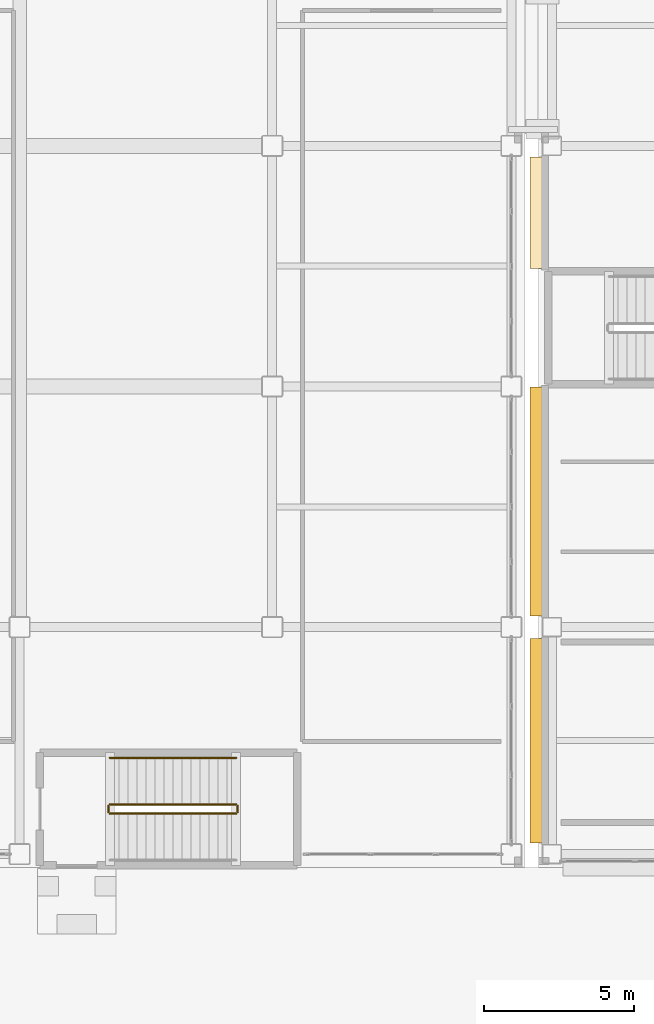
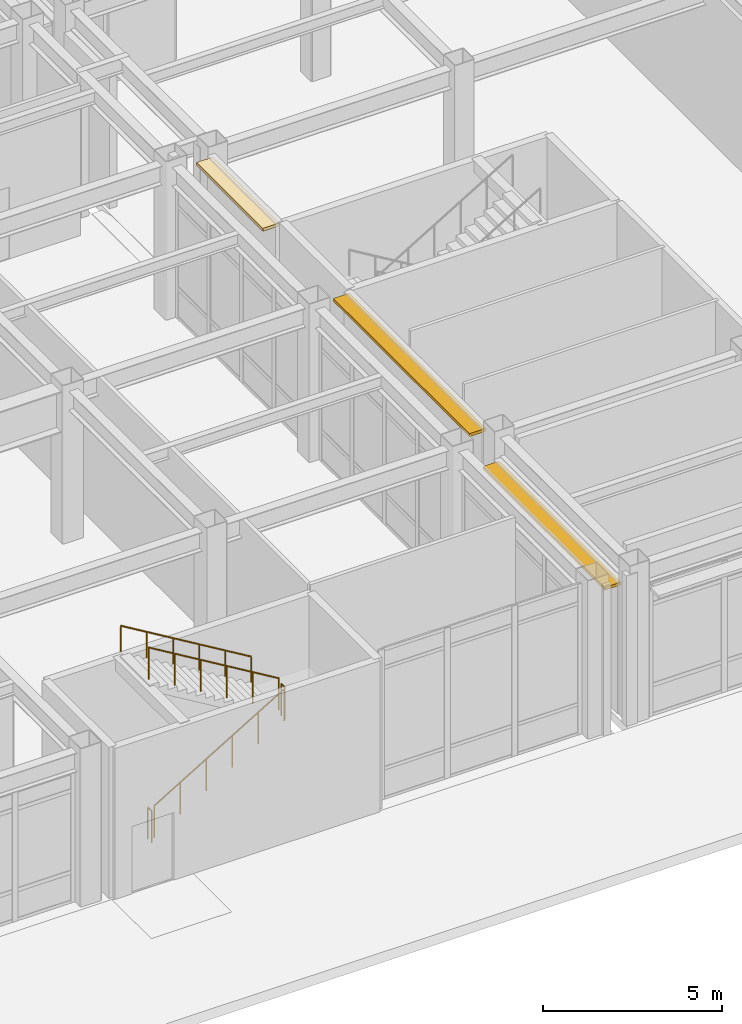
# One storey, part 143 of 165: 5 railings, 2 shading devices, 1 covering.
"""IFC4 building model written with IfcOpenShell, lengths in metres."""

from ifc_helpers import new_model, si_unit, direction, frame, origin, origin_2d, place, context, subcontext, project, spatial, rectangle, circle, extrude, material, layer, layer_set, type_object, element, save


model = new_model("IFC4")

# Units and contexts
model_context = context("Model", 3, precision=1e-05, world=origin(), true_north=direction((0.0, 1.0)))
body_context = subcontext(model_context, "Body", "Model", "MODEL_VIEW")
ifc_project = project(units=[si_unit("LENGTHUNIT", "METRE"), si_unit("AREAUNIT", "SQUARE_METRE"), si_unit("VOLUMEUNIT", "CUBIC_METRE"), si_unit("PLANEANGLEUNIT", "RADIAN"), si_unit("MASSUNIT", "GRAM", prefix="KILO")], contexts=[model_context])

# Site, building, storey
site_placement = place(None, origin())
site = spatial("IfcSite", under=ifc_project, at=site_placement, CompositionType="ELEMENT")
building_placement = place(site_placement, origin())
building = spatial("IfcBuilding", under=site, at=building_placement, Name="Kazehara Bluff Congress Hotel", CompositionType="ELEMENT")
storey_placement = place(building_placement, origin())
storey = spatial("IfcBuildingStorey", under=building, at=storey_placement, Name="L00", CompositionType="ELEMENT", Elevation=0.0)

# Covering
ifc_material_1 = material(Name="Anodised aluminium architectural brise-soleil", Category="aluminium")
ifc_layer_1 = layer(ifc_material_1, 0.10009765625)
ifc_layer_set_1 = layer_set([ifc_layer_1], Name="Anodised aluminium architectural brise-soleil")
covering_type = type_object("IfcCoveringType", Name="TP-FAC-FIN", PredefinedType="CLADDING", material=ifc_layer_set_1)
covering_placement = place(storey_placement, frame((59.22998046875, 21.77001953125, 4.96484375), z_axis=(0.0, 0.0, 1.0), x_axis=(1.0, 0.0, 0.0)))
element("IfcCovering", 1, at=covering_placement, inside=storey, type_object=covering_type, Name="L00 V4 architectural sun-hood 17", PredefinedType="CLADDING", context=body_context, shape_type="SweptSolid", body=[
    extrude(rectangle(XDim=0.52001953125, YDim=3.7099609375, at=origin_2d()), origin(), (0.0, 0.0, 1.0), 0.10009765625),
])

# Railings
ifc_material_2 = material(Name="Brushed stainless steel", Category="steel")
railing_type_1 = type_object("IfcRailingType", Name="TP-GRD-INT", PredefinedType="GUARDRAIL", material=ifc_material_2)
railing_1_placement = place(storey_placement, frame((45.0, 1.800048828125, 0.179931640625)))
element("IfcRailing", 2, at=railing_1_placement, inside=storey, type_object=railing_type_1, Name="L00 ST-05 stair guard 1", PredefinedType="GUARDRAIL", context=body_context, shape_type="SweptSolid", body=[
    extrude(circle(Radius=0.02392578125, at=origin_2d()), frame((0.0, 0.0, 1.076171875), z_axis=(0.857488527567, 0.0, 0.514503085598), x_axis=(0.0, 1.0, 0.0)), (0.0, 0.0, 1.0), 4.89794921875),
    extrude(circle(Radius=0.02099609375, at=origin_2d()), origin(), (0.0, 0.0, 1.0), 1.052001953125),
    extrude(circle(Radius=0.02099609375, at=origin_2d()), frame((0.840087890625, 0.0, 0.50390625)), (0.0, 0.0, 1.0), 1.052001953125),
    extrude(circle(Radius=0.02099609375, at=origin_2d()), frame((1.679931640625, 0.0, 1.008056640625)), (0.0, 0.0, 1.0), 1.052001953125),
    extrude(circle(Radius=0.02099609375, at=origin_2d()), frame((2.52001953125, 0.0, 1.511962890625)), (0.0, 0.0, 1.0), 1.052001953125),
    extrude(circle(Radius=0.02099609375, at=origin_2d()), frame((3.35986328125, 0.0, 2.01611328125)), (0.0, 0.0, 1.0), 1.052001953125),
    extrude(circle(Radius=0.02099609375, at=origin_2d()), frame((4.199951171875, 0.0, 2.52001953125)), (0.0, 0.0, 1.0), 1.052001953125),
])
railing_2_placement = place(storey_placement, frame((49.25, 1.85009765625, 2.699951171875)))
element("IfcRailing", 3, at=railing_2_placement, inside=storey, type_object=railing_type_1, Name="L00 ST-05 stair guard 2", PredefinedType="GUARDRAIL", context=body_context, shape_type="SweptSolid", body=[
    extrude(circle(Radius=0.02392578125, at=origin_2d()), frame((0.0, 0.0, 1.076171875), z_axis=(0.0, 1.0, 0.0), x_axis=(-1.0, 0.0, 0.0)), (0.0, 0.0, 1.0), 0.199951171875),
    extrude(circle(Radius=0.02099609375, at=origin_2d()), origin(), (0.0, 0.0, 1.0), 1.052001953125),
    extrude(circle(Radius=0.02099609375, at=origin_2d()), frame((0.0, 0.199951171875, 0.0)), (0.0, 0.0, 1.0), 1.052001953125),
])
railing_3_placement = place(storey_placement, frame((49.199951171875, 2.10009765625, 2.8798828125)))
element("IfcRailing", 4, at=railing_3_placement, inside=storey, type_object=railing_type_1, Name="L00 ST-05 stair guard 3", PredefinedType="GUARDRAIL", context=body_context, shape_type="SweptSolid", body=[
    extrude(circle(Radius=0.02392578125, at=origin_2d()), frame((0.0, 0.0, 1.076171875), z_axis=(-0.857488527567, 0.0, 0.514503085598), x_axis=(0.0, -1.0, 0.0)), (0.0, 0.0, 1.0), 4.89794921875),
    extrude(circle(Radius=0.02099609375, at=origin_2d()), origin(), (0.0, 0.0, 1.0), 1.052001953125),
    extrude(circle(Radius=0.02099609375, at=origin_2d()), frame((-0.840087890625, 0.0, 0.50390625)), (0.0, 0.0, 1.0), 1.052001953125),
    extrude(circle(Radius=0.02099609375, at=origin_2d()), frame((-1.679931640625, 0.0, 1.008056640625)), (0.0, 0.0, 1.0), 1.052001953125),
    extrude(circle(Radius=0.02099609375, at=origin_2d()), frame((-2.52001953125, 0.0, 1.511962890625)), (0.0, 0.0, 1.0), 1.052001953125),
    extrude(circle(Radius=0.02099609375, at=origin_2d()), frame((-3.35986328125, 0.0, 2.01611328125)), (0.0, 0.0, 1.0), 1.052001953125),
    extrude(circle(Radius=0.02099609375, at=origin_2d()), frame((-4.199951171875, 0.0, 2.52001953125)), (0.0, 0.0, 1.0), 1.052001953125),
])
railing_4_placement = place(storey_placement, frame((44.949951171875, 1.85009765625, 0.0)))
element("IfcRailing", 5, at=railing_4_placement, inside=storey, type_object=railing_type_1, Name="L00 ST-05 stair guard 4", PredefinedType="GUARDRAIL", context=body_context, shape_type="SweptSolid", body=[
    extrude(circle(Radius=0.02392578125, at=origin_2d()), frame((0.0, 0.0, 1.076171875), z_axis=(0.0, 1.0, 0.0), x_axis=(-1.0, 0.0, 0.0)), (0.0, 0.0, 1.0), 0.199951171875),
    extrude(circle(Radius=0.02099609375, at=origin_2d()), origin(), (0.0, 0.0, 1.0), 1.052001953125),
    extrude(circle(Radius=0.02099609375, at=origin_2d()), frame((0.0, 0.199951171875, 0.0)), (0.0, 0.0, 1.0), 1.052001953125),
])
ifc_material_3 = material(Name="Brushed stainless steel", Category="steel")
railing_type_2 = type_object("IfcRailingType", Name="TP-HR-INT", PredefinedType="HANDRAIL", material=ifc_material_3)
railing_5_placement = place(storey_placement, frame((49.199951171875, 3.64990234375, 2.8798828125)))
element("IfcRailing", 6, at=railing_5_placement, inside=storey, type_object=railing_type_2, Name="L00 ST-05 stair handrail 2", PredefinedType="HANDRAIL", context=body_context, shape_type="SweptSolid", body=[
    extrude(circle(Radius=0.02392578125, at=origin_2d()), frame((0.0, 0.0, 0.8759765625), z_axis=(-0.857488527567, 0.0, 0.514503085598), x_axis=(0.0, -1.0, 0.0)), (0.0, 0.0, 1.0), 4.89794921875),
    extrude(circle(Radius=0.02099609375, at=origin_2d()), origin(), (0.0, 0.0, 1.0), 0.851806640625),
    extrude(circle(Radius=0.02099609375, at=origin_2d()), frame((-0.840087890625, 0.0, 0.50390625)), (0.0, 0.0, 1.0), 0.851806640625),
    extrude(circle(Radius=0.02099609375, at=origin_2d()), frame((-1.679931640625, 0.0, 1.008056640625)), (0.0, 0.0, 1.0), 0.851806640625),
    extrude(circle(Radius=0.02099609375, at=origin_2d()), frame((-2.52001953125, 0.0, 1.511962890625)), (0.0, 0.0, 1.0), 0.851806640625),
    extrude(circle(Radius=0.02099609375, at=origin_2d()), frame((-3.35986328125, 0.0, 2.01611328125)), (0.0, 0.0, 1.0), 0.851806640625),
    extrude(circle(Radius=0.02099609375, at=origin_2d()), frame((-4.199951171875, 0.0, 2.52001953125)), (0.0, 0.0, 1.0), 0.851806640625),
])

# Shading devices
ifc_material_4 = material(Name="Anodised aluminium", Category="aluminium")
ifc_layer_2 = layer(ifc_material_4, 0.10009765625)
ifc_layer_set_2 = layer_set([ifc_layer_2], Name="Anodised aluminium")
shading_device_type = type_object("IfcShadingDeviceType", Name="TP-SHD-SCR", PredefinedType="USERDEFINED", material=ifc_layer_set_2)
shading_device_1_placement = place(storey_placement, frame((59.22998046875, 4.22509765625, 4.304931640625), z_axis=(0.0, 0.0, 1.0), x_axis=(1.0, 0.0, 0.0)))
element("IfcShadingDevice", 7, at=shading_device_1_placement, inside=storey, type_object=shading_device_type, Name="L00 V4 horizontal brise-soleil hood 15", ObjectType="SCREEN", PredefinedType="USERDEFINED", context=body_context, shape_type="SweptSolid", body=[
    extrude(rectangle(XDim=0.52001953125, YDim=6.800048828125, at=origin_2d()), origin(), (0.0, 0.0, 1.0), 0.10009765625),
])
shading_device_2_placement = place(storey_placement, frame((59.22998046875, 12.179931640625, 4.96484375), z_axis=(0.0, 0.0, 1.0), x_axis=(1.0, 0.0, 0.0)))
element("IfcShadingDevice", 8, at=shading_device_2_placement, inside=storey, type_object=shading_device_type, Name="L00 V4 horizontal brise-soleil hood 16", ObjectType="SCREEN", PredefinedType="USERDEFINED", context=body_context, shape_type="SweptSolid", body=[
    extrude(rectangle(XDim=0.52001953125, YDim=7.610107421875, at=origin_2d()), origin(), (0.0, 0.0, 1.0), 0.10009765625),
])

save(model, "model.ifc")
